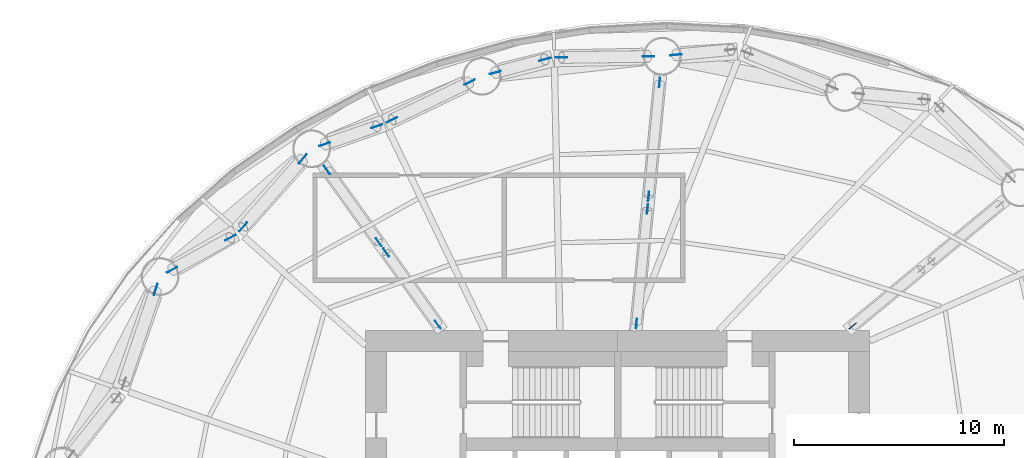
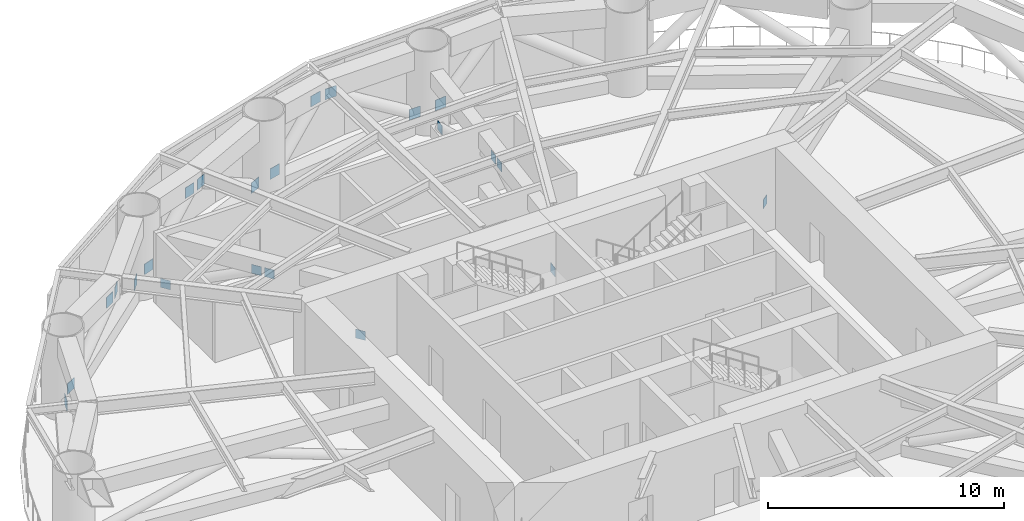
# One storey, part 11 of 15: 23 discrete accessories.
"""IFC4 building model written with IfcOpenShell, lengths in metres."""

from ifc_helpers import new_model, si_unit, direction, frame, origin, origin_2d, place, context, subcontext, project, spatial, rectangle, extrude, element, save


model = new_model("IFC4")

# Units and contexts
model_context = context("Model", 3, precision=1e-05, world=origin(), true_north=direction((0.0, 1.0)))
body_context = subcontext(model_context, "Body", "Model", "MODEL_VIEW")
ifc_project = project(units=[si_unit("LENGTHUNIT", "METRE"), si_unit("AREAUNIT", "SQUARE_METRE"), si_unit("VOLUMEUNIT", "CUBIC_METRE"), si_unit("PLANEANGLEUNIT", "RADIAN"), si_unit("MASSUNIT", "GRAM", prefix="KILO")], contexts=[model_context])

# Site, building, storey
site_placement = place(None, origin())
site = spatial("IfcSite", under=ifc_project, at=site_placement, CompositionType="ELEMENT")
building_placement = place(site_placement, origin())
building = spatial("IfcBuilding", under=site, at=building_placement, Name="Vermilion Reach Broadcast Tower", CompositionType="ELEMENT")
storey_placement = place(building_placement, frame((0.0, 0.0, 84.10009765625)))
storey = spatial("IfcBuildingStorey", under=building, at=storey_placement, Name="L18", CompositionType="ELEMENT", Elevation=84.10009765625)

# Discrete accessories
for number, where, z_axis, x_axis, name in (
    (1, (-3.232177734375, 22.124755859375, 0.52490234375), (0.0, 0.0, 1.0), (-0.093823902801, 0.995588808326, 0.0), "Gusset plate BT1-D03B foot"),
    (2, (-4.529296875, 22.05517578125, 0.52490234375), (0.0, 0.0, 1.0), (0.01333886269, -0.999911033414, 0.0), "Gusset plate BT1-D04A foot"),
    (3, (-8.668701171875, 22.0, 3.06494140625), (0.0, 0.0, 1.0), (0.01333886269, -0.999911033414, 0.0), "Gusset plate BT1-D04A head"),
    (4, (-11.82958984375, 21.276611328125, 0.52490234375), (0.0, 0.0, 1.0), (-0.259159194295, 0.96583461939, 0.0), "Gusset plate BT1-D04B foot"),
    (5, (-9.463623046875, 21.911376953125, 3.06494140625), (0.0, 0.0, 1.0), (-0.259159194295, 0.96583461939, 0.0), "Gusset plate BT1-D04B head"),
    (6, (-13.04248046875, 20.82470703125, 0.52490234375), (0.0, 0.0, 1.0), (0.43595866628, -0.899966688992, 0.0), "Gusset plate BT1-D05A foot"),
    (7, (-16.7314453125, 19.03759765625, 3.06494140625), (0.0, 0.0, 1.0), (0.43595866628, -0.899966688992, 0.0), "Gusset plate BT1-D05A head"),
    (8, (-19.948486328125, 17.87158203125, 0.52490234375), (0.0, 0.0, 1.0), (-0.32510213662, 0.945678909971, 0.0), "Gusset plate BT1-D05B foot"),
    (9, (-17.4677734375, 18.724609375, 3.06494140625), (0.0, 0.0, 1.0), (-0.32510213662, 0.945678909971, 0.0), "Gusset plate BT1-D05B head"),
    (10, (-20.9912109375, 17.171142578125, 0.52490234375), (0.0, 0.0, 1.0), (0.752515051663, -0.658575050409, 0.0), "Gusset plate BT1-D06A foot"),
    (11, (-23.81884765625, 13.9404296875, 3.06494140625), (0.0, 0.0, 1.0), (0.752515051663, -0.658575050409, 0.0), "Gusset plate BT1-D06A head"),
    (12, (-27.210693359375, 11.889892578125, 0.52490234375), (0.0, 0.0, 1.0), (-0.483317945638, 0.875444894568, 0.0), "Gusset plate BT1-D06B foot"),
    (13, (-24.430419921875, 13.4248046875, 3.06494140625), (0.0, 0.0, 1.0), (-0.483317945638, 0.875444894568, 0.0), "Gusset plate BT1-D06B head"),
    (14, (-27.98779296875, 10.9599609375, 0.52490234375), (0.0, 0.0, 1.0), (0.947384355516, -0.320098239488, 0.0), "Gusset plate BT1-D07A foot"),
):
    element("IfcDiscreteAccessory", number, at=place(storey_placement, frame(where, z_axis=z_axis, x_axis=x_axis)), inside=storey, Name=name, PredefinedType="NOTDEFINED", context=body_context, shape_type="SweptSolid", body=[
        extrude(rectangle(XDim=0.02490234375, YDim=0.550048828125, at=origin_2d()), origin(), (0.0, 0.0, 1.0), 0.550048828125),
    ])
for number, where, z_axis, x_axis, name in (
    (15, (5.18408203125, 9.22265625, 0.371337890625), (0.0, 0.0, 1.0), (-0.636213281958, 0.771513227275, 0.0), "Gusset plate OR1-02-DA foot"),
    (16, (-5.1015625, 9.348388671875, 0.371337890625), (0.0, 0.0, 1.0), (-0.995412792048, 0.095673263907, 0.0), "Gusset plate OR1-04-DA foot"),
    (17, (-4.578857421875, 14.785400390625, 2.3212890625), (0.0, 0.0, 1.0), (-0.995412792048, 0.095673263907, 0.0), "Gusset plate OR1-04-DA head"),
    (18, (-3.9990234375, 20.819580078125, 0.371337890625), (0.0, 0.0, 1.0), (-0.995412792048, 0.095673263907, 0.0), "Gusset plate OR1-04-DB foot"),
    (19, (-4.521484375, 15.382568359375, 2.3212890625), (0.0, 0.0, 1.0), (-0.995412792048, 0.095673263907, 0.0), "Gusset plate OR1-04-DB head"),
    (20, (-14.553955078125, 9.284423828125, 0.371337890625), (0.0, 0.0, 1.0), (-0.812521006883, -0.582931911439, 0.0), "Gusset plate OR1-06-DA foot"),
    (21, (-17.01953125, 12.720703125, 2.3212890625), (0.0, 0.0, 1.0), (-0.812521006883, -0.582931911439, 0.0), "Gusset plate OR1-06-DA head"),
    (22, (-19.83447265625, 16.644775390625, 0.371337890625), (0.0, 0.0, 1.0), (-0.812521006883, -0.582931911439, 0.0), "Gusset plate OR1-06-DB foot"),
    (23, (-17.369140625, 13.208251953125, 2.3212890625), (0.0, 0.0, 1.0), (-0.812521006883, -0.582931911439, 0.0), "Gusset plate OR1-06-DB head"),
):
    element("IfcDiscreteAccessory", number, at=place(storey_placement, frame(where, z_axis=z_axis, x_axis=x_axis)), inside=storey, Name=name, PredefinedType="NOTDEFINED", context=body_context, shape_type="SweptSolid", body=[
        extrude(rectangle(XDim=0.02490234375, YDim=0.45703125, at=origin_2d()), origin(), (0.0, 0.0, 1.0), 0.45703125),
    ])

save(model, "model.ifc")
